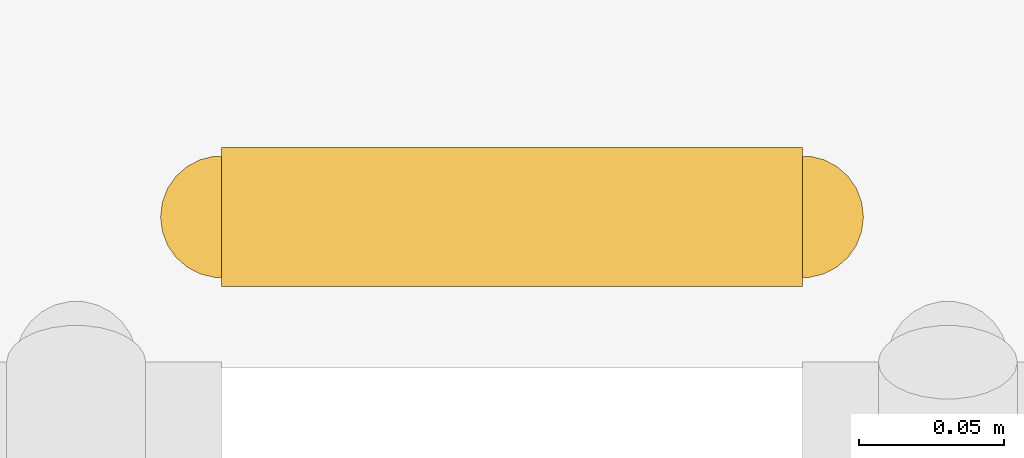
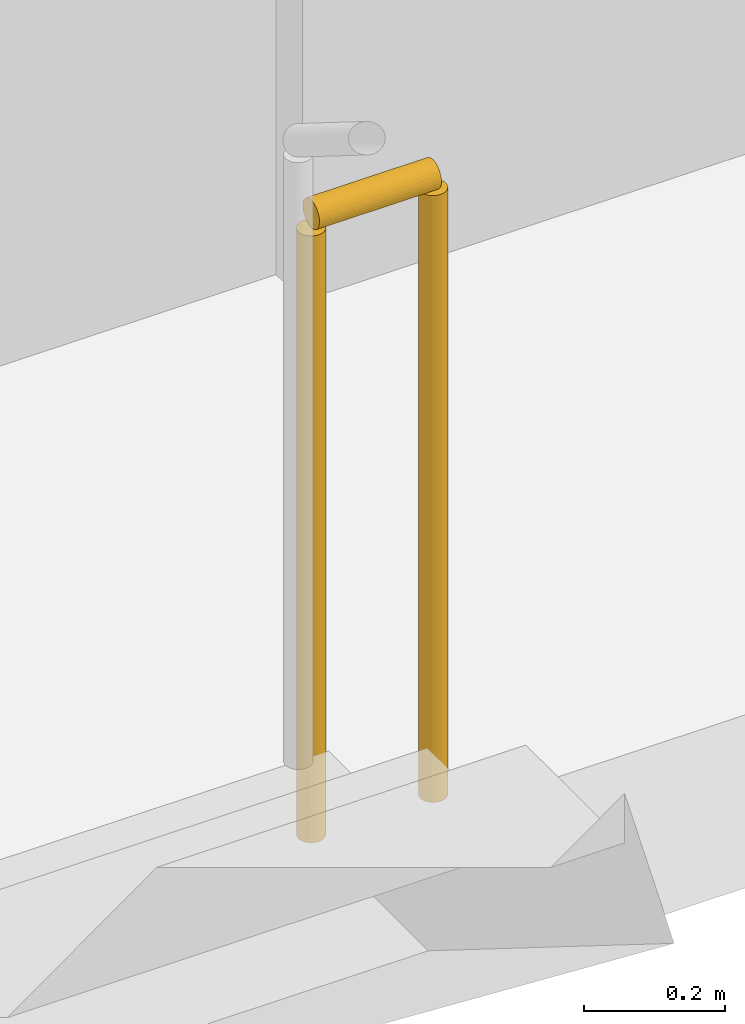
# One storey, part 21 of 23: 1 railing.
"""IFC4 building model written with IfcOpenShell, lengths in metres."""

from ifc_helpers import new_model, si_unit, direction, frame, origin, origin_2d, place, context, subcontext, project, spatial, circle, extrude, material, type_object, element, save


model = new_model("IFC4")

# Units and contexts
model_context = context("Model", 3, precision=1e-05, world=origin(), true_north=direction((0.0, 1.0)))
body_context = subcontext(model_context, "Body", "Model", "MODEL_VIEW")
ifc_project = project(units=[si_unit("LENGTHUNIT", "METRE"), si_unit("AREAUNIT", "SQUARE_METRE"), si_unit("VOLUMEUNIT", "CUBIC_METRE"), si_unit("PLANEANGLEUNIT", "RADIAN"), si_unit("MASSUNIT", "GRAM", prefix="KILO")], contexts=[model_context])

# Site, building, storey
site_placement = place(None, origin())
site = spatial("IfcSite", under=ifc_project, at=site_placement, CompositionType="ELEMENT")
building_placement = place(site_placement, origin())
building = spatial("IfcBuilding", under=site, at=building_placement, Name="Kiln Ring Residences", CompositionType="ELEMENT")
storey_placement = place(building_placement, frame((0.0, 0.0, 118.300048828125)))
storey = spatial("IfcBuildingStorey", under=building, at=storey_placement, Name="L30", CompositionType="ELEMENT", Elevation=118.300048828125)

# Railing
ifc_material = material(Name="Stainless steel", Category="steel")
railing_type = type_object("IfcRailingType", Name="CORE-STAIR-GUARD", PredefinedType="GUARDRAIL", material=ifc_material)
railing_placement = place(storey_placement, frame((-22.199951171875, 8.449951171875, 0.0)))
element("IfcRailing", 1, at=railing_placement, inside=storey, type_object=railing_type, Name="L30 W-STN stair guard 4", PredefinedType="GUARDRAIL", context=body_context, shape_type="SweptSolid", body=[
    extrude(circle(Radius=0.02392578125, at=origin_2d()), frame((0.0, 0.0, 1.076171875), z_axis=(1.0, 0.0, 0.0), x_axis=(0.0, 1.0, 0.0)), (0.0, 0.0, 1.0), 0.199951171875),
    extrude(circle(Radius=0.02099609375, at=origin_2d()), origin(), (0.0, 0.0, 1.0), 1.052001953125),
    extrude(circle(Radius=0.02099609375, at=origin_2d()), frame((0.199951171875, 0.0, 0.0)), (0.0, 0.0, 1.0), 1.052001953125),
])

save(model, "model.ifc")
